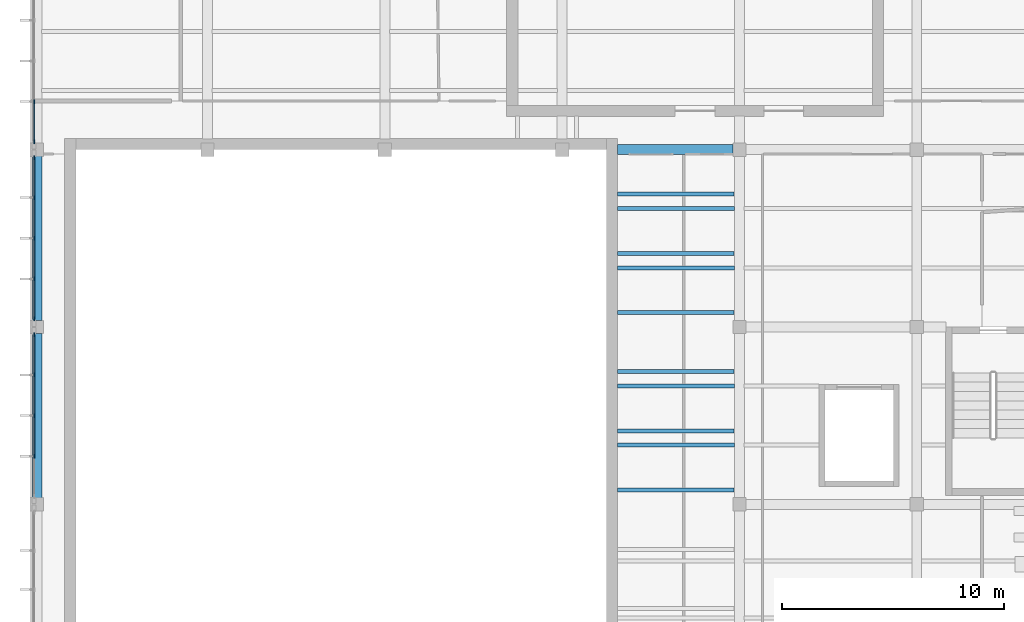
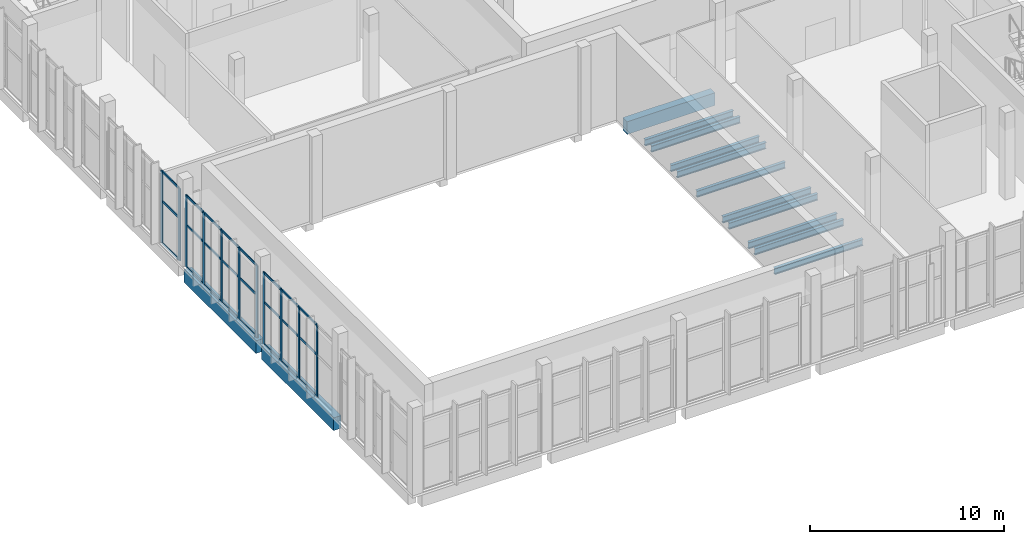
# One storey, part 17 of 112: 35 members, 13 beams, 3 elements without a shape of their own.
"""IFC4 building model written with IfcOpenShell, lengths in metres."""

from ifc_helpers import new_model, si_unit, direction, frame, origin, origin_2d, place, context, subcontext, project, spatial, rectangle, i_section, extrude, material, layer, layer_set, material_profile, profile_set, type_object, element, aggregate, save


model = new_model("IFC4")

# Units and contexts
model_context = context("Model", 3, precision=1e-05, world=origin(), true_north=direction((0.0, 1.0)))
body_context = subcontext(model_context, "Body", "Model", "MODEL_VIEW")
ifc_project = project(units=[si_unit("LENGTHUNIT", "METRE"), si_unit("AREAUNIT", "SQUARE_METRE"), si_unit("VOLUMEUNIT", "CUBIC_METRE"), si_unit("PLANEANGLEUNIT", "RADIAN"), si_unit("MASSUNIT", "GRAM", prefix="KILO")], contexts=[model_context])

# Site, building, storey
site_placement = place(None, origin())
site = spatial("IfcSite", under=ifc_project, at=site_placement, CompositionType="ELEMENT")
building_placement = place(site_placement, origin())
building = spatial("IfcBuilding", under=site, at=building_placement, Name="Lunette Opera House", CompositionType="ELEMENT")
storey_placement = place(building_placement, frame((0.0, 0.0, 6.0)))
storey = spatial("IfcBuildingStorey", under=building, at=storey_placement, Name="L01", CompositionType="ELEMENT", Elevation=6.0)

# Curtain wall, members
ifc_material_1 = material(Name="Aluminium", Category="aluminium")
ifc_layer = layer(ifc_material_1, 0.179931640625)
ifc_layer_set = layer_set([ifc_layer], Name="Aluminium")
curtain_wall_type = type_object("IfcCurtainWallType", Name="SUN FACE CURTAIN WALL", PredefinedType="NOTDEFINED", material=ifc_layer_set)
curtain_wall_1_placement = place(storey_placement, origin())
curtain_wall_1 = element("IfcCurtainWall", 1, at=curtain_wall_1_placement, inside=storey, type_object=curtain_wall_type, Name="Sun Face Curtain Wall F15 L01", PredefinedType="NOTDEFINED")
ifc_material_2 = material(Name="Aluminium", Category="aluminium")
ifc_material_profile_1 = material_profile(ifc_material_2, rectangle(XDim=0.06005859375, YDim=0.179931640625, at=origin_2d()), Name="MULLION 60 X 180")
ifc_profile_set_1 = profile_set([ifc_material_profile_1], Name="Aluminium")
member_type_1 = type_object("IfcMemberType", Name="MULLION 60 X 180", PredefinedType="MULLION", material=ifc_profile_set_1)
member_1_placement = place(storey_placement, frame((8.181884765625, 90.1650390625, 0.0), z_axis=(0.0, 0.0, 1.0), x_axis=(1.0, 0.0, 0.0)))
member_1 = element("IfcMember", 2, at=member_1_placement, type_object=member_type_1, Name="RW-X2017 mullion 4", PredefinedType="MULLION", context=body_context, shape_type="SweptSolid", body=[
    extrude(rectangle(XDim=0.06005859375, YDim=0.179931640625, at=origin_2d()), origin(), (0.0, 0.0, 1.0), 4.550048828125),
])
member_2_placement = place(storey_placement, frame((8.181884765625, 88.360107421875, 0.0), z_axis=(0.0, 0.0, 1.0), x_axis=(1.0, 0.0, 0.0)))
member_2 = element("IfcMember", 3, at=member_2_placement, type_object=member_type_1, Name="RW-X2017 mullion 5", PredefinedType="MULLION", context=body_context, shape_type="SweptSolid", body=[
    extrude(rectangle(XDim=0.06005859375, YDim=0.179931640625, at=origin_2d()), origin(), (0.0, 0.0, 1.0), 4.550048828125),
])

curtain_wall_2_placement = place(storey_placement, origin())
curtain_wall_2 = element("IfcCurtainWall", 4, at=curtain_wall_2_placement, inside=storey, type_object=curtain_wall_type, Name="Sun Face Curtain Wall F16 L01", PredefinedType="NOTDEFINED")
member_3_placement = place(storey_placement, frame((8.181884765625, 87.639892578125, 0.0), z_axis=(0.0, 0.0, 1.0), x_axis=(1.0, 0.0, 0.0)))
member_3 = element("IfcMember", 5, at=member_3_placement, type_object=member_type_1, Name="RW-X2018 mullion 1", PredefinedType="MULLION", context=body_context, shape_type="SweptSolid", body=[
    extrude(rectangle(XDim=0.06005859375, YDim=0.179931640625, at=origin_2d()), origin(), (0.0, 0.0, 1.0), 4.550048828125),
])
member_4_placement = place(storey_placement, frame((8.181884765625, 85.8349609375, 0.0), z_axis=(0.0, 0.0, 1.0), x_axis=(1.0, 0.0, 0.0)))
member_4 = element("IfcMember", 6, at=member_4_placement, type_object=member_type_1, Name="RW-X2018 mullion 2", PredefinedType="MULLION", context=body_context, shape_type="SweptSolid", body=[
    extrude(rectangle(XDim=0.06005859375, YDim=0.179931640625, at=origin_2d()), origin(), (0.0, 0.0, 1.0), 4.550048828125),
])
member_5_placement = place(storey_placement, frame((8.181884765625, 84.0, 0.0), z_axis=(0.0, 0.0, 1.0), x_axis=(1.0, 0.0, 0.0)))
member_5 = element("IfcMember", 7, at=member_5_placement, type_object=member_type_1, Name="RW-X2018 mullion 3", PredefinedType="MULLION", context=body_context, shape_type="SweptSolid", body=[
    extrude(rectangle(XDim=0.06005859375, YDim=0.179931640625, at=origin_2d()), origin(), (0.0, 0.0, 1.0), 4.550048828125),
])
member_6_placement = place(storey_placement, frame((8.181884765625, 82.1650390625, 0.0), z_axis=(0.0, 0.0, 1.0), x_axis=(1.0, 0.0, 0.0)))
member_6 = element("IfcMember", 8, at=member_6_placement, type_object=member_type_1, Name="RW-X2018 mullion 4", PredefinedType="MULLION", context=body_context, shape_type="SweptSolid", body=[
    extrude(rectangle(XDim=0.06005859375, YDim=0.179931640625, at=origin_2d()), origin(), (0.0, 0.0, 1.0), 4.550048828125),
])
member_7_placement = place(storey_placement, frame((8.181884765625, 80.360107421875, 0.0), z_axis=(0.0, 0.0, 1.0), x_axis=(1.0, 0.0, 0.0)))
member_7 = element("IfcMember", 9, at=member_7_placement, type_object=member_type_1, Name="RW-X2018 mullion 5", PredefinedType="MULLION", context=body_context, shape_type="SweptSolid", body=[
    extrude(rectangle(XDim=0.06005859375, YDim=0.179931640625, at=origin_2d()), origin(), (0.0, 0.0, 1.0), 4.550048828125),
])

curtain_wall_3_placement = place(storey_placement, origin())
curtain_wall_3 = element("IfcCurtainWall", 10, at=curtain_wall_3_placement, inside=storey, type_object=curtain_wall_type, Name="Sun Face Curtain Wall F17 L01", PredefinedType="NOTDEFINED")
member_8_placement = place(storey_placement, frame((8.181884765625, 79.639892578125, 0.0), z_axis=(0.0, 0.0, 1.0), x_axis=(1.0, 0.0, 0.0)))
member_8 = element("IfcMember", 11, at=member_8_placement, type_object=member_type_1, Name="RW-X2019 mullion 1", PredefinedType="MULLION", context=body_context, shape_type="SweptSolid", body=[
    extrude(rectangle(XDim=0.06005859375, YDim=0.179931640625, at=origin_2d()), origin(), (0.0, 0.0, 1.0), 4.550048828125),
])
member_9_placement = place(storey_placement, frame((8.181884765625, 77.8349609375, 0.0), z_axis=(0.0, 0.0, 1.0), x_axis=(1.0, 0.0, 0.0)))
member_9 = element("IfcMember", 12, at=member_9_placement, type_object=member_type_1, Name="RW-X2019 mullion 2", PredefinedType="MULLION", context=body_context, shape_type="SweptSolid", body=[
    extrude(rectangle(XDim=0.06005859375, YDim=0.179931640625, at=origin_2d()), origin(), (0.0, 0.0, 1.0), 4.550048828125),
])
member_10_placement = place(storey_placement, frame((8.181884765625, 76.0, 0.0), z_axis=(0.0, 0.0, 1.0), x_axis=(1.0, 0.0, 0.0)))
member_10 = element("IfcMember", 13, at=member_10_placement, type_object=member_type_1, Name="RW-X2019 mullion 3", PredefinedType="MULLION", context=body_context, shape_type="SweptSolid", body=[
    extrude(rectangle(XDim=0.06005859375, YDim=0.179931640625, at=origin_2d()), origin(), (0.0, 0.0, 1.0), 4.550048828125),
])
member_11_placement = place(storey_placement, frame((8.181884765625, 74.1650390625, 0.0), z_axis=(0.0, 0.0, 1.0), x_axis=(1.0, 0.0, 0.0)))
member_11 = element("IfcMember", 14, at=member_11_placement, type_object=member_type_1, Name="RW-X2019 mullion 4", PredefinedType="MULLION", context=body_context, shape_type="SweptSolid", body=[
    extrude(rectangle(XDim=0.06005859375, YDim=0.179931640625, at=origin_2d()), origin(), (0.0, 0.0, 1.0), 4.550048828125),
])

# Beams
ifc_material_3 = material(Name="Concrete C35/45", Category="concrete")
ifc_material_profile_2 = material_profile(ifc_material_3, rectangle(XDim=0.449951171875, YDim=0.800048828125, at=origin_2d()), Name="RC BEAM 450X800")
ifc_profile_set_2 = profile_set([ifc_material_profile_2], Name="Concrete C35/45")
beam_type_1 = type_object("IfcBeamType", Name="RC BEAM 450X800", PredefinedType="BEAM", material=ifc_profile_set_2)
for number, where, z_axis, x_axis, name in (
    (15, (8.300048828125, 72.2900390625, -0.550048828125), (0.0, 1.0, 0.0), (-1.0, 0.0, 0.0), "beam-RW-L01-L01-GY01"),
    (16, (8.300048828125, 80.2900390625, -0.550048828125), (0.0, 1.0, 0.0), (-1.0, 0.0, 0.0), "beam-RW-L01-L01-GY02"),
):
    element("IfcBeam", number, at=place(storey_placement, frame(where, z_axis=z_axis, x_axis=x_axis)), inside=storey, type_object=beam_type_1, Name=name, PredefinedType="BEAM", context=body_context, shape_type="SweptSolid", body=[
        extrude(rectangle(XDim=0.449951171875, YDim=0.800048828125, at=origin_2d()), origin(), (0.0, 0.0, 1.0), 7.419921875),
    ])
beam_placement = place(storey_placement, frame((34.489990234375, 88.0, -0.550048828125), z_axis=(1.0, 0.0, 0.0), x_axis=(0.0, 1.0, 0.0)))
element("IfcBeam", 17, at=beam_placement, inside=storey, type_object=beam_type_1, Name="beam-RW-L01-L01-GX33", PredefinedType="BEAM", context=body_context, shape_type="SweptSolid", body=[
    extrude(rectangle(XDim=0.449951171875, YDim=0.800048828125, at=origin_2d()), origin(), (0.0, 0.0, 1.0), 5.219970703125),
])
ifc_material_4 = material(Name="Steel S355", Category="steel")
ifc_material_profile_3 = material_profile(ifc_material_4, i_section(OverallWidth=0.179931640625, OverallDepth=0.39990234375, WebThickness=0.008544921875, FlangeThickness=0.013427734375, FilletRadius=0.02099609375, at=origin_2d()), Name="IPE 400")
ifc_profile_set_3 = profile_set([ifc_material_profile_3], Name="Steel S355")
beam_type_2 = type_object("IfcBeamType", Name="STEEL BEAM IPE 400", PredefinedType="BEAM", material=ifc_profile_set_3)
for number, where, z_axis, x_axis, name in (
    (18, (34.5, 74.6669921875, -0.35009765625), (1.0, 0.0, 0.0), (0.0, 1.0, 0.0), "beam-RW-L01-L01-SX311-01"),
    (19, (34.5, 77.3330078125, -0.35009765625), (1.0, 0.0, 0.0), (0.0, 1.0, 0.0), "beam-RW-L01-L01-SX312-01"),
    (20, (34.5, 82.6669921875, -0.35009765625), (1.0, 0.0, 0.0), (0.0, 1.0, 0.0), "beam-RW-L01-L01-SX321-01"),
    (21, (34.5, 85.3330078125, -0.35009765625), (1.0, 0.0, 0.0), (0.0, 1.0, 0.0), "beam-RW-L01-L01-SX322-01"),
):
    element("IfcBeam", number, at=place(storey_placement, frame(where, z_axis=z_axis, x_axis=x_axis)), inside=storey, type_object=beam_type_2, Name=name, PredefinedType="BEAM", context=body_context, shape_type="SweptSolid", body=[
        extrude(i_section(OverallWidth=0.179931640625, OverallDepth=0.39990234375, WebThickness=0.008544921875, FlangeThickness=0.013427734375, FilletRadius=0.02099609375, at=origin_2d()), origin(), (0.0, 0.0, 1.0), 5.284912109375),
    ])
for number, where, z_axis, x_axis, name in (
    (22, (34.5, 72.639892578125, -0.35009765625), (1.0, 0.0, 0.0), (0.0, 1.0, 0.0), "beam-RW-L01-L01-RJE10662"),
    (23, (34.5, 75.31005859375, -0.35009765625), (1.0, 0.0, 0.0), (0.0, 1.0, 0.0), "beam-RW-L01-L01-RJE10663"),
    (24, (34.5, 77.97998046875, -0.35009765625), (1.0, 0.0, 0.0), (0.0, 1.0, 0.0), "beam-RW-L01-L01-RJE10664"),
    (25, (34.5, 80.64990234375, -0.35009765625), (1.0, 0.0, 0.0), (0.0, 1.0, 0.0), "beam-RW-L01-L01-RJE10665"),
    (26, (34.5, 83.320068359375, -0.35009765625), (1.0, 0.0, 0.0), (0.0, 1.0, 0.0), "beam-RW-L01-L01-RJE10666"),
    (27, (34.5, 85.989990234375, -0.35009765625), (1.0, 0.0, 0.0), (0.0, 1.0, 0.0), "beam-RW-L01-L01-RJE10667"),
):
    element("IfcBeam", number, at=place(storey_placement, frame(where, z_axis=z_axis, x_axis=x_axis)), inside=storey, type_object=beam_type_2, Name=name, PredefinedType="BEAM", context=body_context, shape_type="SweptSolid", body=[
        extrude(i_section(OverallWidth=0.179931640625, OverallDepth=0.39990234375, WebThickness=0.008544921875, FlangeThickness=0.013427734375, FilletRadius=0.02099609375, at=origin_2d()), origin(), (0.0, 0.0, 1.0), 5.264892578125),
    ])

# Member
ifc_material_5 = material(Name="Aluminium", Category="aluminium")
ifc_material_profile_4 = material_profile(ifc_material_5, rectangle(XDim=0.06005859375, YDim=0.139892578125, at=origin_2d()), Name="TRANSOM 60 X 140")
ifc_profile_set_4 = profile_set([ifc_material_profile_4], Name="Aluminium")
member_type_2 = type_object("IfcMemberType", Name="TRANSOM 60 X 140", PredefinedType="USERDEFINED", material=ifc_profile_set_4)
member_12_placement = place(storey_placement, frame((8.181884765625, 90.135009765625, 0.030029296875), z_axis=(0.0, -1.0, 0.0), x_axis=(1.0, 0.0, 0.0)))
member_12 = element("IfcMember", 28, at=member_12_placement, type_object=member_type_2, Name="RW-X2017 transom 4.1", ObjectType="TRANSOM", PredefinedType="USERDEFINED", context=body_context, shape_type="SweptSolid", body=[
    extrude(rectangle(XDim=0.06005859375, YDim=0.139892578125, at=origin_2d()), origin(), (0.0, 0.0, 1.0), 1.7451171875),
])

member_13_placement = place(storey_placement, frame((8.181884765625, 90.135009765625, 2.675048828125), z_axis=(0.0, -1.0, 0.0), x_axis=(1.0, 0.0, 0.0)))
member_13 = element("IfcMember", 29, at=member_13_placement, type_object=member_type_2, Name="RW-X2017 transom 4.2", ObjectType="TRANSOM", PredefinedType="USERDEFINED", context=body_context, shape_type="SweptSolid", body=[
    extrude(rectangle(XDim=0.06005859375, YDim=0.139892578125, at=origin_2d()), origin(), (0.0, 0.0, 1.0), 1.7451171875),
])

member_14_placement = place(storey_placement, frame((8.181884765625, 90.135009765625, 4.52001953125), z_axis=(0.0, -1.0, 0.0), x_axis=(1.0, 0.0, 0.0)))
member_14 = element("IfcMember", 30, at=member_14_placement, type_object=member_type_2, Name="RW-X2017 transom 4.3", ObjectType="TRANSOM", PredefinedType="USERDEFINED", context=body_context, shape_type="SweptSolid", body=[
    extrude(rectangle(XDim=0.06005859375, YDim=0.139892578125, at=origin_2d()), origin(), (0.0, 0.0, 1.0), 1.7451171875),
])

aggregate(curtain_wall_1, [member_1, member_2, member_12, member_13, member_14])

member_15_placement = place(storey_placement, frame((8.181884765625, 87.610107421875, 0.030029296875), z_axis=(0.0, -1.0, 0.0), x_axis=(1.0, 0.0, 0.0)))
member_15 = element("IfcMember", 31, at=member_15_placement, type_object=member_type_2, Name="RW-X2018 transom 1.1", ObjectType="TRANSOM", PredefinedType="USERDEFINED", context=body_context, shape_type="SweptSolid", body=[
    extrude(rectangle(XDim=0.06005859375, YDim=0.139892578125, at=origin_2d()), origin(), (0.0, 0.0, 1.0), 1.7451171875),
])

member_16_placement = place(storey_placement, frame((8.181884765625, 87.610107421875, 2.675048828125), z_axis=(0.0, -1.0, 0.0), x_axis=(1.0, 0.0, 0.0)))
member_16 = element("IfcMember", 32, at=member_16_placement, type_object=member_type_2, Name="RW-X2018 transom 1.2", ObjectType="TRANSOM", PredefinedType="USERDEFINED", context=body_context, shape_type="SweptSolid", body=[
    extrude(rectangle(XDim=0.06005859375, YDim=0.139892578125, at=origin_2d()), origin(), (0.0, 0.0, 1.0), 1.7451171875),
])

member_17_placement = place(storey_placement, frame((8.181884765625, 87.610107421875, 4.52001953125), z_axis=(0.0, -1.0, 0.0), x_axis=(1.0, 0.0, 0.0)))
member_17 = element("IfcMember", 33, at=member_17_placement, type_object=member_type_2, Name="RW-X2018 transom 1.3", ObjectType="TRANSOM", PredefinedType="USERDEFINED", context=body_context, shape_type="SweptSolid", body=[
    extrude(rectangle(XDim=0.06005859375, YDim=0.139892578125, at=origin_2d()), origin(), (0.0, 0.0, 1.0), 1.7451171875),
])

member_18_placement = place(storey_placement, frame((8.181884765625, 85.804931640625, 0.030029296875), z_axis=(0.0, -1.0, 0.0), x_axis=(1.0, 0.0, 0.0)))
member_18 = element("IfcMember", 34, at=member_18_placement, type_object=member_type_2, Name="RW-X2018 transom 2.1", ObjectType="TRANSOM", PredefinedType="USERDEFINED", context=body_context, shape_type="SweptSolid", body=[
    extrude(rectangle(XDim=0.06005859375, YDim=0.139892578125, at=origin_2d()), origin(), (0.0, 0.0, 1.0), 1.77490234375),
])

member_19_placement = place(storey_placement, frame((8.181884765625, 85.804931640625, 2.675048828125), z_axis=(0.0, -1.0, 0.0), x_axis=(1.0, 0.0, 0.0)))
member_19 = element("IfcMember", 35, at=member_19_placement, type_object=member_type_2, Name="RW-X2018 transom 2.2", ObjectType="TRANSOM", PredefinedType="USERDEFINED", context=body_context, shape_type="SweptSolid", body=[
    extrude(rectangle(XDim=0.06005859375, YDim=0.139892578125, at=origin_2d()), origin(), (0.0, 0.0, 1.0), 1.77490234375),
])

member_20_placement = place(storey_placement, frame((8.181884765625, 85.804931640625, 4.52001953125), z_axis=(0.0, -1.0, 0.0), x_axis=(1.0, 0.0, 0.0)))
member_20 = element("IfcMember", 36, at=member_20_placement, type_object=member_type_2, Name="RW-X2018 transom 2.3", ObjectType="TRANSOM", PredefinedType="USERDEFINED", context=body_context, shape_type="SweptSolid", body=[
    extrude(rectangle(XDim=0.06005859375, YDim=0.139892578125, at=origin_2d()), origin(), (0.0, 0.0, 1.0), 1.77490234375),
])

member_21_placement = place(storey_placement, frame((8.181884765625, 83.969970703125, 0.030029296875), z_axis=(0.0, -1.0, 0.0), x_axis=(1.0, 0.0, 0.0)))
member_21 = element("IfcMember", 37, at=member_21_placement, type_object=member_type_2, Name="RW-X2018 transom 3.1", ObjectType="TRANSOM", PredefinedType="USERDEFINED", context=body_context, shape_type="SweptSolid", body=[
    extrude(rectangle(XDim=0.06005859375, YDim=0.139892578125, at=origin_2d()), origin(), (0.0, 0.0, 1.0), 1.77490234375),
])

member_22_placement = place(storey_placement, frame((8.181884765625, 83.969970703125, 2.675048828125), z_axis=(0.0, -1.0, 0.0), x_axis=(1.0, 0.0, 0.0)))
member_22 = element("IfcMember", 38, at=member_22_placement, type_object=member_type_2, Name="RW-X2018 transom 3.2", ObjectType="TRANSOM", PredefinedType="USERDEFINED", context=body_context, shape_type="SweptSolid", body=[
    extrude(rectangle(XDim=0.06005859375, YDim=0.139892578125, at=origin_2d()), origin(), (0.0, 0.0, 1.0), 1.77490234375),
])

member_23_placement = place(storey_placement, frame((8.181884765625, 83.969970703125, 4.52001953125), z_axis=(0.0, -1.0, 0.0), x_axis=(1.0, 0.0, 0.0)))
member_23 = element("IfcMember", 39, at=member_23_placement, type_object=member_type_2, Name="RW-X2018 transom 3.3", ObjectType="TRANSOM", PredefinedType="USERDEFINED", context=body_context, shape_type="SweptSolid", body=[
    extrude(rectangle(XDim=0.06005859375, YDim=0.139892578125, at=origin_2d()), origin(), (0.0, 0.0, 1.0), 1.77490234375),
])

member_24_placement = place(storey_placement, frame((8.181884765625, 82.135009765625, 0.030029296875), z_axis=(0.0, -1.0, 0.0), x_axis=(1.0, 0.0, 0.0)))
member_24 = element("IfcMember", 40, at=member_24_placement, type_object=member_type_2, Name="RW-X2018 transom 4.1", ObjectType="TRANSOM", PredefinedType="USERDEFINED", context=body_context, shape_type="SweptSolid", body=[
    extrude(rectangle(XDim=0.06005859375, YDim=0.139892578125, at=origin_2d()), origin(), (0.0, 0.0, 1.0), 1.7451171875),
])

member_25_placement = place(storey_placement, frame((8.181884765625, 82.135009765625, 2.675048828125), z_axis=(0.0, -1.0, 0.0), x_axis=(1.0, 0.0, 0.0)))
member_25 = element("IfcMember", 41, at=member_25_placement, type_object=member_type_2, Name="RW-X2018 transom 4.2", ObjectType="TRANSOM", PredefinedType="USERDEFINED", context=body_context, shape_type="SweptSolid", body=[
    extrude(rectangle(XDim=0.06005859375, YDim=0.139892578125, at=origin_2d()), origin(), (0.0, 0.0, 1.0), 1.7451171875),
])

member_26_placement = place(storey_placement, frame((8.181884765625, 82.135009765625, 4.52001953125), z_axis=(0.0, -1.0, 0.0), x_axis=(1.0, 0.0, 0.0)))
member_26 = element("IfcMember", 42, at=member_26_placement, type_object=member_type_2, Name="RW-X2018 transom 4.3", ObjectType="TRANSOM", PredefinedType="USERDEFINED", context=body_context, shape_type="SweptSolid", body=[
    extrude(rectangle(XDim=0.06005859375, YDim=0.139892578125, at=origin_2d()), origin(), (0.0, 0.0, 1.0), 1.7451171875),
])

aggregate(curtain_wall_2, [member_3, member_4, member_5, member_6, member_7, member_15, member_16, member_17, member_18, member_19, member_20, member_21, member_22, member_23, member_24, member_25, member_26])

member_27_placement = place(storey_placement, frame((8.181884765625, 79.610107421875, 0.030029296875), z_axis=(0.0, -1.0, 0.0), x_axis=(1.0, 0.0, 0.0)))
member_27 = element("IfcMember", 43, at=member_27_placement, type_object=member_type_2, Name="RW-X2019 transom 1.1", ObjectType="TRANSOM", PredefinedType="USERDEFINED", context=body_context, shape_type="SweptSolid", body=[
    extrude(rectangle(XDim=0.06005859375, YDim=0.139892578125, at=origin_2d()), origin(), (0.0, 0.0, 1.0), 1.7451171875),
])

member_28_placement = place(storey_placement, frame((8.181884765625, 79.610107421875, 2.675048828125), z_axis=(0.0, -1.0, 0.0), x_axis=(1.0, 0.0, 0.0)))
member_28 = element("IfcMember", 44, at=member_28_placement, type_object=member_type_2, Name="RW-X2019 transom 1.2", ObjectType="TRANSOM", PredefinedType="USERDEFINED", context=body_context, shape_type="SweptSolid", body=[
    extrude(rectangle(XDim=0.06005859375, YDim=0.139892578125, at=origin_2d()), origin(), (0.0, 0.0, 1.0), 1.7451171875),
])

member_29_placement = place(storey_placement, frame((8.181884765625, 79.610107421875, 4.52001953125), z_axis=(0.0, -1.0, 0.0), x_axis=(1.0, 0.0, 0.0)))
member_29 = element("IfcMember", 45, at=member_29_placement, type_object=member_type_2, Name="RW-X2019 transom 1.3", ObjectType="TRANSOM", PredefinedType="USERDEFINED", context=body_context, shape_type="SweptSolid", body=[
    extrude(rectangle(XDim=0.06005859375, YDim=0.139892578125, at=origin_2d()), origin(), (0.0, 0.0, 1.0), 1.7451171875),
])

member_30_placement = place(storey_placement, frame((8.181884765625, 77.804931640625, 0.030029296875), z_axis=(0.0, -1.0, 0.0), x_axis=(1.0, 0.0, 0.0)))
member_30 = element("IfcMember", 46, at=member_30_placement, type_object=member_type_2, Name="RW-X2019 transom 2.1", ObjectType="TRANSOM", PredefinedType="USERDEFINED", context=body_context, shape_type="SweptSolid", body=[
    extrude(rectangle(XDim=0.06005859375, YDim=0.139892578125, at=origin_2d()), origin(), (0.0, 0.0, 1.0), 1.77490234375),
])

member_31_placement = place(storey_placement, frame((8.181884765625, 77.804931640625, 2.675048828125), z_axis=(0.0, -1.0, 0.0), x_axis=(1.0, 0.0, 0.0)))
member_31 = element("IfcMember", 47, at=member_31_placement, type_object=member_type_2, Name="RW-X2019 transom 2.2", ObjectType="TRANSOM", PredefinedType="USERDEFINED", context=body_context, shape_type="SweptSolid", body=[
    extrude(rectangle(XDim=0.06005859375, YDim=0.139892578125, at=origin_2d()), origin(), (0.0, 0.0, 1.0), 1.77490234375),
])

member_32_placement = place(storey_placement, frame((8.181884765625, 77.804931640625, 4.52001953125), z_axis=(0.0, -1.0, 0.0), x_axis=(1.0, 0.0, 0.0)))
member_32 = element("IfcMember", 48, at=member_32_placement, type_object=member_type_2, Name="RW-X2019 transom 2.3", ObjectType="TRANSOM", PredefinedType="USERDEFINED", context=body_context, shape_type="SweptSolid", body=[
    extrude(rectangle(XDim=0.06005859375, YDim=0.139892578125, at=origin_2d()), origin(), (0.0, 0.0, 1.0), 1.77490234375),
])

member_33_placement = place(storey_placement, frame((8.181884765625, 75.969970703125, 0.030029296875), z_axis=(0.0, -1.0, 0.0), x_axis=(1.0, 0.0, 0.0)))
member_33 = element("IfcMember", 49, at=member_33_placement, type_object=member_type_2, Name="RW-X2019 transom 3.1", ObjectType="TRANSOM", PredefinedType="USERDEFINED", context=body_context, shape_type="SweptSolid", body=[
    extrude(rectangle(XDim=0.06005859375, YDim=0.139892578125, at=origin_2d()), origin(), (0.0, 0.0, 1.0), 1.77490234375),
])

member_34_placement = place(storey_placement, frame((8.181884765625, 75.969970703125, 2.675048828125), z_axis=(0.0, -1.0, 0.0), x_axis=(1.0, 0.0, 0.0)))
member_34 = element("IfcMember", 50, at=member_34_placement, type_object=member_type_2, Name="RW-X2019 transom 3.2", ObjectType="TRANSOM", PredefinedType="USERDEFINED", context=body_context, shape_type="SweptSolid", body=[
    extrude(rectangle(XDim=0.06005859375, YDim=0.139892578125, at=origin_2d()), origin(), (0.0, 0.0, 1.0), 1.77490234375),
])

member_35_placement = place(storey_placement, frame((8.181884765625, 75.969970703125, 4.52001953125), z_axis=(0.0, -1.0, 0.0), x_axis=(1.0, 0.0, 0.0)))
member_35 = element("IfcMember", 51, at=member_35_placement, type_object=member_type_2, Name="RW-X2019 transom 3.3", ObjectType="TRANSOM", PredefinedType="USERDEFINED", context=body_context, shape_type="SweptSolid", body=[
    extrude(rectangle(XDim=0.06005859375, YDim=0.139892578125, at=origin_2d()), origin(), (0.0, 0.0, 1.0), 1.77490234375),
])

aggregate(curtain_wall_3, [member_8, member_9, member_10, member_11, member_27, member_28, member_29, member_30, member_31, member_32, member_33, member_34, member_35])

save(model, "model.ifc")
